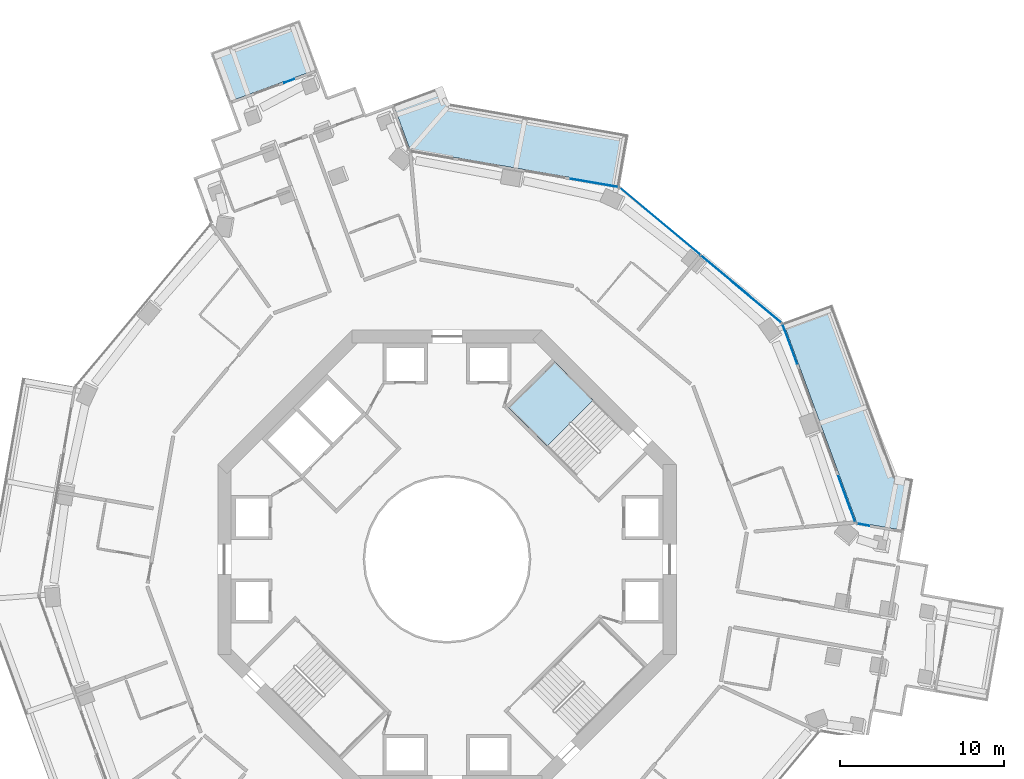
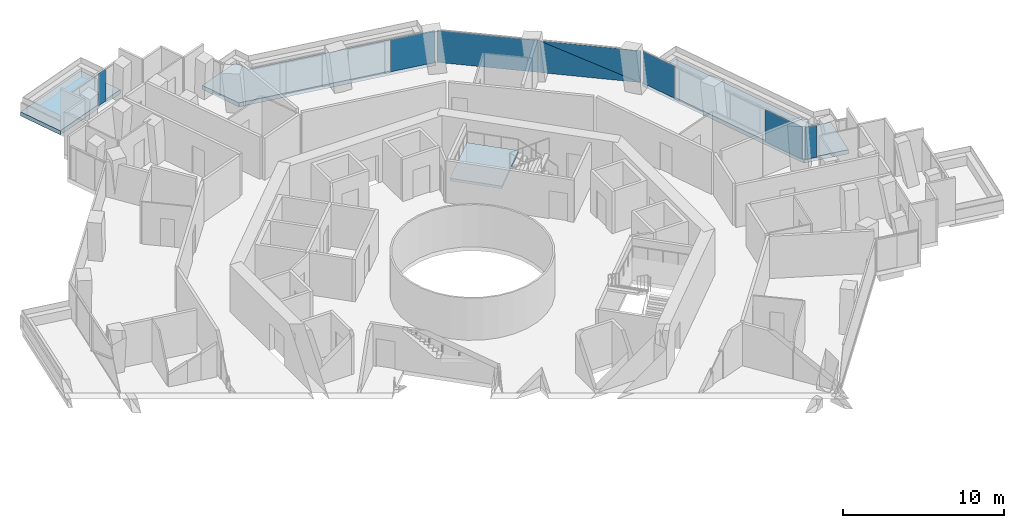
# One storey, part 15 of 24: 8 plates, 4 slabs, 6 elements without a shape of their own.
"""IFC4 building model written with IfcOpenShell, lengths in metres."""

import ifcopenshell
import ifcopenshell.guid

model = None  # the IFC model being written
_history = None  # IfcOwnerHistory: only IFC2X3 demands one
_inside = {}  # id of a spatial element -> (the spatial element, [elements in it])
_under = {}  # id of a project, library or spatial element -> (it, [spatial elements below it])
_declared = {}  # id of a project -> (the project, [libraries it declares])
_typed = {}  # id of a type object -> (the type object, [elements of that type])
_made_of = {}  # id of a material, layer set ... -> (it, [elements and type objects made of it])


def new_model(schema):
    """Start an empty IFC model of exactly this schema.

    Asked for "IFC4X3", IfcOpenShell would pick the latest addendum, in which some entities
    have other attributes; the version numbers below select the first issue.
    IFC2X3 requires an IfcOwnerHistory on every rooted entity: one is made here for all.
    """
    global model, _history
    if schema == "IFC4X3":
        model = ifcopenshell.file(schema_version=(4, 3, 0, 0))
    else:
        model = ifcopenshell.file(schema=schema)
    _inside.clear()
    _under.clear()
    _declared.clear()
    _typed.clear()
    _made_of.clear()
    _history = None
    if model.schema == "IFC2X3":
        org = make("IfcOrganization", Name="unknown")
        user = make(
            "IfcPersonAndOrganization",
            ThePerson=make("IfcPerson", FamilyName="unknown"),
            TheOrganization=org,
        )
        app = make(
            "IfcApplication",
            ApplicationDeveloper=org,
            Version="unknown",
            ApplicationFullName="unknown",
            ApplicationIdentifier="unknown",
        )
        _history = make(
            "IfcOwnerHistory",
            OwningUser=user,
            OwningApplication=app,
            ChangeAction="ADDED",
            CreationDate=0,
        )
    return model


def make(cls, **values):
    """One entity of the class cls with the attributes given. An attribute that is None is left unset."""
    return model.create_entity(
        cls, **{name: value for name, value in values.items() if value is not None}
    )


def rooted(cls, **values):
    """An entity with a GlobalId (a new one), such as an element, a storey or a relation."""
    return make(cls, GlobalId=ifcopenshell.guid.new(), OwnerHistory=_history, **values)


def si_unit(unit_type, name, prefix=None):
    """IfcSIUnit, for example si_unit("LENGTHUNIT", "METRE", prefix="MILLI")."""
    return make("IfcSIUnit", UnitType=unit_type, Prefix=prefix, Name=name)


def assignment(units):
    """IfcUnitAssignment: the units of a project."""
    return None if units is None else make("IfcUnitAssignment", Units=units)


def point(xyz):
    """IfcCartesianPoint."""
    return None if xyz is None else make("IfcCartesianPoint", Coordinates=xyz)


def direction(xyz):
    """IfcDirection."""
    return None if xyz is None else make("IfcDirection", DirectionRatios=xyz)


def frame(location, z_axis=None, x_axis=None):
    """IfcAxis2Placement3D, a coordinate frame: its origin and axes. An axis left out is left unset."""
    return make(
        "IfcAxis2Placement3D",
        Location=point(location),
        Axis=direction(z_axis),
        RefDirection=direction(x_axis),
    )


def frame_2d(location, x_axis=None):
    """IfcAxis2Placement2D, a coordinate frame in the plane: its origin and x axis."""
    return make(
        "IfcAxis2Placement2D", Location=point(location), RefDirection=direction(x_axis)
    )


def origin():
    """The frame at (0, 0, 0) with its axes left unset."""
    return frame((0.0, 0.0, 0.0))


def origin_2d():
    """The frame at (0, 0) in the plane with its x axis left unset."""
    return frame_2d((0.0, 0.0))


def place(relative_to, where):
    """IfcLocalPlacement: puts the frame where relative to a parent placement (None: the world)."""
    return make(
        "IfcLocalPlacement", PlacementRelTo=relative_to, RelativePlacement=where
    )


def context(
    kind, dimensions, precision=None, world=None, true_north=None, identifier=None
):
    """IfcGeometricRepresentationContext, for example the 3D "Model" context."""
    return make(
        "IfcGeometricRepresentationContext",
        ContextIdentifier=identifier,
        ContextType=kind,
        CoordinateSpaceDimension=dimensions,
        Precision=precision,
        WorldCoordinateSystem=world,
        TrueNorth=true_north,
    )


def subcontext(parent, identifier, kind, view, scale=None):
    """IfcGeometricRepresentationSubContext, for example "Body" below "Model"."""
    return make(
        "IfcGeometricRepresentationSubContext",
        ContextIdentifier=identifier,
        ContextType=kind,
        ParentContext=parent,
        TargetScale=scale,
        TargetView=view,
    )


def project(units=None, contexts=None):
    """IfcProject with its units and contexts."""
    return rooted(
        "IfcProject",
        Name="project",
        RepresentationContexts=contexts,
        UnitsInContext=assignment(units),
    )


def spatial(cls, under=None, at=None, **own):
    """A site, building, storey or space (cls), placed at a placement, below another one or the project."""
    s = rooted(cls, ObjectPlacement=at, **own)
    if under is not None:
        _under.setdefault(under.id(), (under, []))[1].append(s)
    return s


def polyline(points):
    """IfcPolyline through the points."""
    return make("IfcPolyline", Points=[point(p) for p in points])


def profile(cls, at=None, kind="AREA", **sizes):
    """A parametric profile (cls). Its sizes go by their IFC names, for example OverallWidth=200.0."""
    return make(cls, ProfileType=kind, Position=at, **sizes)


def rectangle(**sizes):
    """IfcRectangleProfileDef."""
    return profile("IfcRectangleProfileDef", **sizes)


def outline(outer, holes=None, kind="AREA"):
    """IfcArbitraryClosedProfileDef: a profile drawn as a closed curve; with holes, ...WithVoids."""
    if holes is None:
        return make("IfcArbitraryClosedProfileDef", ProfileType=kind, OuterCurve=outer)
    return make(
        "IfcArbitraryProfileDefWithVoids",
        ProfileType=kind,
        OuterCurve=outer,
        InnerCurves=holes,
    )


def extrude(swept, where, along, depth):
    """IfcExtrudedAreaSolid: the profile swept, set in the frame where, extruded along a direction by depth."""
    return make(
        "IfcExtrudedAreaSolid",
        SweptArea=swept,
        Position=where,
        ExtrudedDirection=direction(along),
        Depth=depth,
    )


def shape(context_of_items, identifier, shape_type, items):
    """IfcShapeRepresentation: the items that make up one representation, for example the "Body"."""
    return make(
        "IfcShapeRepresentation",
        ContextOfItems=context_of_items,
        RepresentationIdentifier=identifier,
        RepresentationType=shape_type,
        Items=items,
    )


def material(Name=None, Category=None):
    """IfcMaterial."""
    return make("IfcMaterial", Name=Name, Category=Category)


def layer(
    of_material, thickness, ventilated=None, Name=None, Category=None, Priority=None
):
    """IfcMaterialLayer: one layer of a wall or slab, of a material (None: an air gap)."""
    return make(
        "IfcMaterialLayer",
        Material=of_material,
        LayerThickness=thickness,
        IsVentilated=ventilated,
        Name=Name,
        Category=Category,
        Priority=Priority,
    )


def layer_set(layers, Name=None):
    """IfcMaterialLayerSet."""
    return make("IfcMaterialLayerSet", MaterialLayers=layers, LayerSetName=Name)


def made_of(thing, what):
    """Note that an element or type object is made of a material, layer set ...; save() writes the relation."""
    if what is not None:
        _made_of.setdefault(what.id(), (what, []))[1].append(thing)
    return thing


def type_object(cls, material=None, **own):
    """A type object (cls), such as IfcWallType, which elements share."""
    return made_of(rooted(cls, **own), material)


def element(
    cls,
    number,
    at=None,
    inside=None,
    cuts=None,
    type_object=None,
    material=None,
    context=None,
    identifier="Body",
    shape_type=None,
    held_by="IfcProductDefinitionShape",
    body=None,
    shapes=None,
    **own,
):
    """One element of the class cls, such as IfcWall. Its Tag is "e" and its number.

    at: its placement. inside: the storey or other place that contains it. cuts: it is an
    opening in that element (IfcRelVoidsElement). A single representation is given by context,
    identifier, shape_type and body (its items); several are given by shapes. held_by: the class
    of the entity that holds the representations. save() writes the other relations.
    """
    e = rooted(cls, Tag="e%d" % number, ObjectPlacement=at, **own)
    if body is not None:
        shapes = [shape(context, identifier, shape_type, body)]
    if shapes is not None:
        e.Representation = make(held_by, Representations=shapes)
    if inside is not None:
        _inside.setdefault(inside.id(), (inside, []))[1].append(e)
    if cuts is not None:
        rooted(
            "IfcRelVoidsElement", RelatingBuildingElement=cuts, RelatedOpeningElement=e
        )
    if type_object is not None:
        _typed.setdefault(type_object.id(), (type_object, []))[1].append(e)
    return made_of(e, material)


def aggregate(whole, parts):
    """IfcRelAggregates: a whole, such as a stair, and the parts it consists of."""
    return rooted("IfcRelAggregates", RelatingObject=whole, RelatedObjects=parts)


def save(model, path):
    """Write the relations noted so far, then the file.

    IfcRelAggregates (storeys below a building ...), IfcRelContainedInSpatialStructure (elements
    in a storey), IfcRelDefinesByType, IfcRelAssociatesMaterial and IfcRelDeclares: one each for
    every whole, place, type object, material and project.
    """
    for whole, parts in _under.values():
        aggregate(whole, parts)
    for where, things in _inside.values():
        rooted(
            "IfcRelContainedInSpatialStructure",
            RelatedElements=things,
            RelatingStructure=where,
        )
    for kind, things in _typed.values():
        rooted("IfcRelDefinesByType", RelatedObjects=things, RelatingType=kind)
    for what, things in _made_of.values():
        rooted("IfcRelAssociatesMaterial", RelatedObjects=things, RelatingMaterial=what)
    for by, libraries in _declared.values():
        rooted("IfcRelDeclares", RelatingContext=by, RelatedDefinitions=libraries)
    model.write(path)


model = new_model("IFC4")

# Units and contexts
model_context = context("Model", 3, precision=1e-05, world=origin(), true_north=direction((0.0, 1.0)))
body_context = subcontext(model_context, "Body", "Model", "MODEL_VIEW")
ifc_project = project(units=[si_unit("LENGTHUNIT", "METRE"), si_unit("AREAUNIT", "SQUARE_METRE"), si_unit("VOLUMEUNIT", "CUBIC_METRE"), si_unit("PLANEANGLEUNIT", "RADIAN"), si_unit("MASSUNIT", "GRAM", prefix="KILO")], contexts=[model_context])

# Site, building, storey
site_placement = place(None, origin())
site = spatial("IfcSite", under=ifc_project, at=site_placement, CompositionType="ELEMENT")
building_placement = place(site_placement, origin())
building = spatial("IfcBuilding", under=site, at=building_placement, Name="Verdalira Terraces Hotel", CompositionType="ELEMENT")
storey_placement = place(building_placement, frame((0.0, 0.0, 115.0)))
storey = spatial("IfcBuildingStorey", under=building, at=storey_placement, Name="L27", CompositionType="ELEMENT", Elevation=115.0)

# Slabs
ifc_material_1 = material(Name="Precast concrete C40/50", Category="concrete")
ifc_layer_1 = layer(ifc_material_1, 0.31005859375)
ifc_layer_set_1 = layer_set([ifc_layer_1], Name="Balcony deck 310")
slab_type_1 = type_object("IfcSlabType", Name="Balcony deck 310", PredefinedType="FLOOR", material=ifc_layer_set_1)
slab_1_placement = place(storey_placement, frame((0.0, 0.0, -0.310059)))
element("IfcSlab", 1, at=slab_1_placement, inside=storey, type_object=slab_type_1, Name="Balcony deck", PredefinedType="FLOOR", context=body_context, shape_type="SweptSolid", body=[
    extrude(outline(polyline([(-14.446289, 30.934082), (-13.343506, 27.930176), (-7.898682, 29.928955), (-9.001709, 32.933105), (-14.446289, 30.934082)])), origin(), (0.0, 0.0, 1.0), 0.310059),
])
slab_2_placement = place(storey_placement, frame((0.0, 0.0, -0.310059)))
element("IfcSlab", 2, at=slab_2_placement, inside=storey, type_object=slab_type_1, Name="Balcony deck", PredefinedType="FLOOR", context=body_context, shape_type="SweptSolid", body=[
    extrude(outline(polyline([(23.535889, 15.565186), (20.531982, 14.462158), (25.012207, 2.258789), (27.928223, 1.75293), (28.475098, 4.905762), (27.379395, 5.095947), (23.535889, 15.565186)])), origin(), (0.0, 0.0, 1.0), 0.310059),
])
slab_3_placement = place(storey_placement, frame((0.0, 0.0, -0.310059)))
element("IfcSlab", 3, at=slab_3_placement, inside=storey, type_object=slab_type_1, Name="Balcony deck", PredefinedType="FLOOR", context=body_context, shape_type="SweptSolid", body=[
    extrude(outline(polyline([(-0.274658, 28.893311), (-3.278564, 27.790283), (-2.258789, 25.012207), (10.550049, 22.790527), (11.096924, 25.943604), (0.108643, 27.849365), (-0.274658, 28.893311)])), origin(), (0.0, 0.0, 1.0), 0.310059),
])

# Curtain wall, plates
ifc_material_2 = material(Name="Clear glass", Category="glass")
ifc_layer_2 = layer(ifc_material_2, 0.14990234375)
ifc_layer_set_2 = layer_set([ifc_layer_2], Name="CW1 curtain wall")
curtain_wall_type_1 = type_object("IfcCurtainWallType", Name="CW1 curtain wall", PredefinedType="NOTDEFINED", material=ifc_layer_set_2)
curtain_wall_1_placement = place(storey_placement, origin())
curtain_wall_1 = element("IfcCurtainWall", 4, at=curtain_wall_1_placement, inside=storey, type_object=curtain_wall_type_1, Name="CW1 curtain wall L27 edge 39", PredefinedType="NOTDEFINED")
ifc_material_3 = material(Name="Clear glass", Category="glass")
ifc_layer_3 = layer(ifc_material_3, 0.028076171875)
ifc_layer_set_3 = layer_set([ifc_layer_3], Name="CW1 glass unit 28")
plate_type_1 = type_object("IfcPlateType", Name="CW1 glass unit 28", PredefinedType="CURTAIN_PANEL", material=ifc_layer_set_3)
plate_1_placement = place(storey_placement, frame((24.410156, 3.680908, 0.0), z_axis=(0.0, 0.0, 1.0), x_axis=(-0.344642923, 0.938733858, 0.0)))
plate_1 = element("IfcPlate", 5, at=plate_1_placement, type_object=plate_type_1, Name="CW1 glass unit", PredefinedType="CURTAIN_PANEL", context=body_context, shape_type="SweptSolid", body=[
    extrude(rectangle(XDim=2.965088, YDim=0.028076, at=origin_2d()), origin(), (0.0, 0.0, 1.0), 2.425049),
])
plate_2_placement = place(storey_placement, frame((20.937988, 13.138672, 0.0), z_axis=(0.0, 0.0, 1.0), x_axis=(-0.344642923, 0.938733858, 0.0)))
plate_2 = element("IfcPlate", 6, at=plate_2_placement, type_object=plate_type_1, Name="CW1 glass unit", PredefinedType="CURTAIN_PANEL", context=body_context, shape_type="SweptSolid", body=[
    extrude(rectangle(XDim=2.564209, YDim=0.028076, at=origin_2d()), origin(), (0.0, 0.0, 1.0), 2.425049),
])
aggregate(curtain_wall_1, [plate_1, plate_2])

curtain_wall_2_placement = place(storey_placement, origin())
curtain_wall_2 = element("IfcCurtainWall", 7, at=curtain_wall_2_placement, inside=storey, type_object=curtain_wall_type_1, Name="CW1 curtain wall L27 edge 40", PredefinedType="NOTDEFINED")
plate_3_placement = place(storey_placement, frame((17.952393, 16.498535, 1.212402), z_axis=(0.640645907, 0.767836456, 0.0), x_axis=(-0.767836456, 0.640645907, 0.0)))
plate_3 = element("IfcPlate", 8, at=plate_3_placement, type_object=plate_type_1, Name="CW1 glass unit", PredefinedType="CURTAIN_PANEL", context=body_context, shape_type="SweptSolid", body=[
    extrude(outline(polyline([(-3.185059, -1.212402), (3.185059, -1.212402), (3.185059, 1.212402), (-3.185059, -1.212402)])), origin(), (0.0, 0.0, 1.0), 0.028076),
])
plate_4_placement = place(storey_placement, frame((17.933838, 16.476074, 1.212402), z_axis=(0.640645907, 0.767836456, 0.0), x_axis=(-0.767836456, 0.640645907, 0.0)))
plate_4 = element("IfcPlate", 9, at=plate_4_placement, type_object=plate_type_1, Name="CW1 glass unit", PredefinedType="CURTAIN_PANEL", context=body_context, shape_type="SweptSolid", body=[
    extrude(outline(polyline([(-3.185059, -1.212402), (3.185059, 1.212402), (-3.185059, 1.212402), (-3.185059, -1.212402)])), origin(), (0.0, 0.0, 1.0), 0.028076),
])
plate_5_placement = place(storey_placement, frame((13.024414, 20.628418, 0.0), z_axis=(0.0, 0.0, 1.0), x_axis=(-0.767836456, 0.640645907, 0.0)))
plate_5 = element("IfcPlate", 10, at=plate_5_placement, type_object=plate_type_1, Name="CW1 glass unit", PredefinedType="CURTAIN_PANEL", context=body_context, shape_type="SweptSolid", body=[
    extrude(rectangle(XDim=6.369873, YDim=0.028076, at=origin_2d()), origin(), (0.0, 0.0, 1.0), 2.425049),
])
aggregate(curtain_wall_2, [plate_3, plate_4, plate_5])

# Curtain wall, plate
curtain_wall_3_placement = place(storey_placement, origin())
curtain_wall_3 = element("IfcCurtainWall", 11, at=curtain_wall_3_placement, inside=storey, type_object=curtain_wall_type_1, Name="CW1 curtain wall L27 edge 41", PredefinedType="NOTDEFINED")
plate_6_placement = place(storey_placement, frame((8.997559, 22.983887, 0.0), z_axis=(0.0, 0.0, 1.0), x_axis=(-0.98528883, 0.170897402, 0.0)))
plate_6 = element("IfcPlate", 12, at=plate_6_placement, type_object=plate_type_1, Name="CW1 glass unit", PredefinedType="CURTAIN_PANEL", context=body_context, shape_type="SweptSolid", body=[
    extrude(rectangle(XDim=2.924805, YDim=0.028076, at=origin_2d()), origin(), (0.0, 0.0, 1.0), 2.425049),
])
aggregate(curtain_wall_3, [plate_6])

ifc_material_4 = material(Name="Clear glass", Category="glass")
ifc_layer_4 = layer(ifc_material_4, 0.14990234375)
ifc_layer_set_4 = layer_set([ifc_layer_4], Name="CW2 curtain wall")
curtain_wall_type_2 = type_object("IfcCurtainWallType", Name="CW2 curtain wall", PredefinedType="NOTDEFINED", material=ifc_layer_set_4)
curtain_wall_4_placement = place(storey_placement, origin())
curtain_wall_4 = element("IfcCurtainWall", 13, at=curtain_wall_4_placement, inside=storey, type_object=curtain_wall_type_2, Name="CW2 curtain wall L27 edge 38", PredefinedType="NOTDEFINED")
ifc_material_5 = material(Name="Clear glass", Category="glass")
ifc_layer_5 = layer(ifc_material_5, 0.031982421875)
ifc_layer_set_5 = layer_set([ifc_layer_5], Name="CW2 glass unit 32")
plate_type_2 = type_object("IfcPlateType", Name="CW2 glass unit 32", PredefinedType="CURTAIN_PANEL", material=ifc_layer_set_5)
plate_7_placement = place(storey_placement, frame((25.428711, 2.110352, 0.0), z_axis=(0.0, 0.0, 1.0), x_axis=(-0.98528883, 0.170897402, 0.0)))
plate_7 = element("IfcPlate", 14, at=plate_7_placement, type_object=plate_type_2, Name="CW2 glass unit", PredefinedType="CURTAIN_PANEL", context=body_context, shape_type="SweptSolid", body=[
    extrude(rectangle(XDim=0.731201, YDim=0.031982, at=origin_2d()), origin(), (0.0, 0.0, 1.0), 2.425049),
])
aggregate(curtain_wall_4, [plate_7])

ifc_material_6 = material(Name="Clear glass", Category="glass")
ifc_layer_6 = layer(ifc_material_6, 0.14990234375)
ifc_layer_set_6 = layer_set([ifc_layer_6], Name="CW3 curtain wall")
curtain_wall_type_3 = type_object("IfcCurtainWallType", Name="CW3 curtain wall", PredefinedType="NOTDEFINED", material=ifc_layer_set_6)
curtain_wall_5_placement = place(storey_placement, origin())
curtain_wall_5 = element("IfcCurtainWall", 15, at=curtain_wall_5_placement, inside=storey, type_object=curtain_wall_type_3, Name="CW3 curtain wall L27 edge 5", PredefinedType="NOTDEFINED")
ifc_material_7 = material(Name="Clear glass", Category="glass")
ifc_layer_7 = layer(ifc_material_7, 0.035888671875)
ifc_layer_set_7 = layer_set([ifc_layer_7], Name="CW3 glass unit 36")
plate_type_3 = type_object("IfcPlateType", Name="CW3 glass unit 36", PredefinedType="CURTAIN_PANEL", material=ifc_layer_set_7)
plate_8_placement = place(storey_placement, frame((-9.634277, 29.211914, 0.0), z_axis=(0.0, 0.0, 1.0), x_axis=(-0.938733858, -0.344642923, 0.0)))
plate_8 = element("IfcPlate", 16, at=plate_8_placement, type_object=plate_type_3, Name="CW3 glass unit", PredefinedType="CURTAIN_PANEL", context=body_context, shape_type="SweptSolid", body=[
    extrude(rectangle(XDim=0.647217, YDim=0.035889, at=origin_2d()), origin(), (0.0, 0.0, 1.0), 2.425049),
])
aggregate(curtain_wall_5, [plate_8])

# Stair, slab
ifc_material_8 = material(Name="Concrete C40", Category="concrete")
stair_type = type_object("IfcStairType", Name="Core stair 20 risers 1950 mm wide", PredefinedType="HALF_TURN_STAIR", material=ifc_material_8)
stair_placement = place(storey_placement, origin())
stair = element("IfcStair", 17, at=stair_placement, inside=storey, type_object=stair_type, Name="L27 Exit stair ST1", PredefinedType="HALF_TURN_STAIR")
ifc_material_9 = material(Name="Concrete C40", Category="concrete")
ifc_layer_8 = layer(ifc_material_9, 0.199951171875)
ifc_layer_set_8 = layer_set([ifc_layer_8], Name="Core stair landing 200 mm")
slab_type_2 = type_object("IfcSlabType", Name="Core stair landing 200 mm", PredefinedType="LANDING", material=ifc_layer_set_8)
slab_4_placement = place(storey_placement, frame((0.0, 0.0, 1.550049)))
slab_4 = element("IfcSlab", 18, at=slab_4_placement, type_object=slab_type_2, Name="ST1 landing 1", PredefinedType="LANDING", context=body_context, shape_type="SweptSolid", body=[
    extrude(outline(polyline([(8.931152, 9.736572), (6.576172, 12.091553), (3.747559, 9.263184), (6.102783, 6.907959), (8.931152, 9.736572)])), origin(), (0.0, 0.0, 1.0), 0.199951),
])
aggregate(stair, [slab_4])

save(model, "model.ifc")
